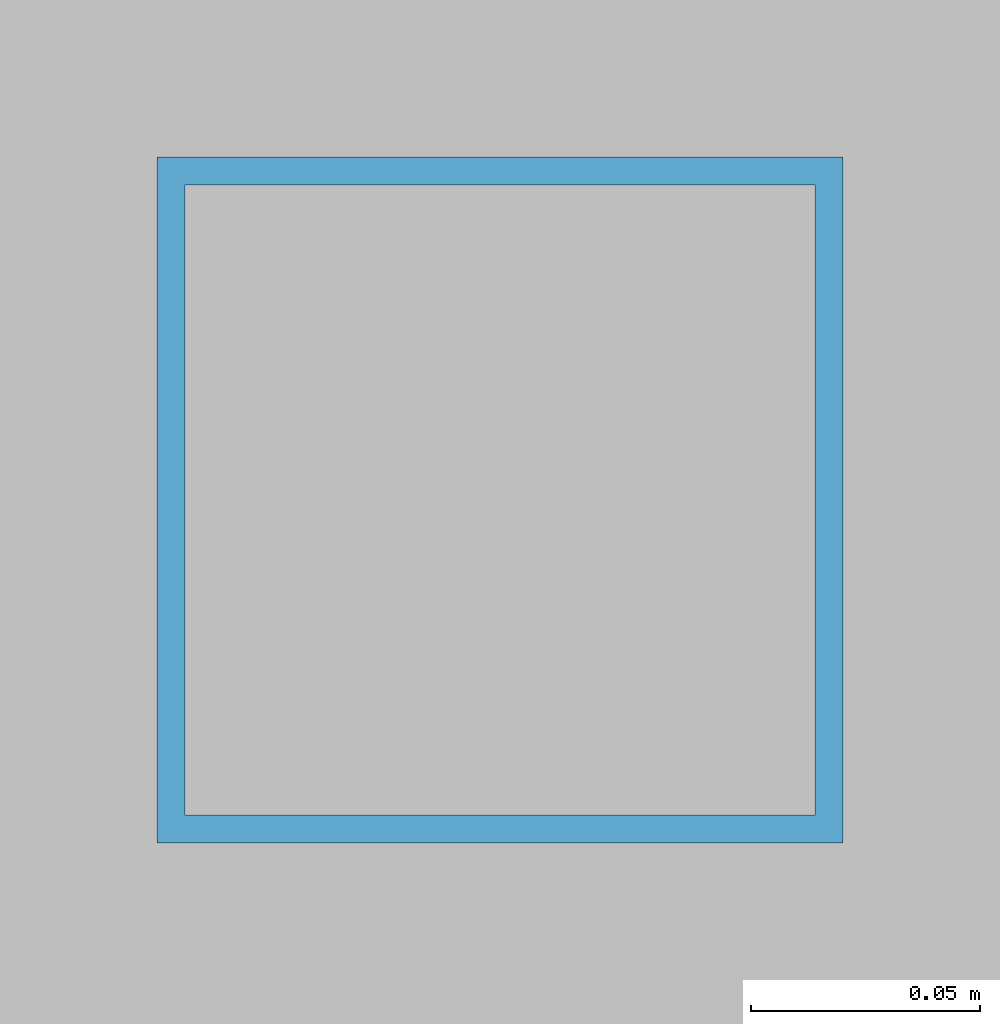
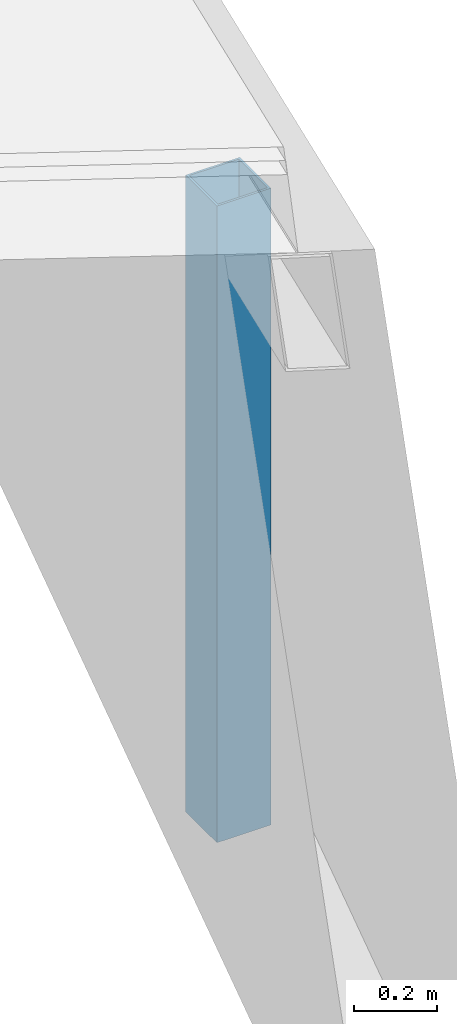
# One storey, part 46 of 185: 1 member.
"""IFC4 building model written with IfcOpenShell, lengths in metres."""

from ifc_helpers import new_model, si_unit, direction, frame, origin, origin_2d, place, context, subcontext, project, spatial, hollow_rectangle, extrude, material, material_profile, profile_set, type_object, element, save


model = new_model("IFC4")

# Units and contexts
model_context = context("Model", 3, precision=1e-05, world=origin(), true_north=direction((0.0, 1.0)))
body_context = subcontext(model_context, "Body", "Model", "MODEL_VIEW")
ifc_project = project(units=[si_unit("LENGTHUNIT", "METRE"), si_unit("AREAUNIT", "SQUARE_METRE"), si_unit("VOLUMEUNIT", "CUBIC_METRE"), si_unit("PLANEANGLEUNIT", "RADIAN"), si_unit("MASSUNIT", "GRAM", prefix="KILO")], contexts=[model_context])

# Site, building, storey
site_placement = place(None, origin())
site = spatial("IfcSite", under=ifc_project, at=site_placement, CompositionType="ELEMENT")
building_placement = place(site_placement, origin())
building = spatial("IfcBuilding", under=site, at=building_placement, Name="Vondelvale Polytechnic", CompositionType="ELEMENT")
storey_placement = place(building_placement, frame((0.0, 0.0, 9.60009765625)))
storey = spatial("IfcBuildingStorey", under=building, at=storey_placement, Name="L02", CompositionType="ELEMENT", Elevation=9.60009765625)

# Member
ifc_material = material(Name="Steel C350L0 (fy = 350 MPa)", Category="steel")
ifc_material_profile = material_profile(ifc_material, hollow_rectangle(XDim=0.14990234375, YDim=0.14990234375, WallThickness=0.006103515625, at=origin_2d()), Name="150x150x6.0SHS")
ifc_profile_set = profile_set([ifc_material_profile], Name="Steel C350L0 (fy = 350 MPa)")
member_type = type_object("IfcMemberType", Name="ROOF TRUSS POST 150SHS", PredefinedType="POST", material=ifc_profile_set)
member_placement = place(storey_placement, frame((92.423583984375, 36.2607421875, 0.0), z_axis=(0.0, 0.0, 1.0), x_axis=(1.0, 0.0, 0.0)))
element("IfcMember", 1, at=member_placement, inside=storey, type_object=member_type, Name="Ring step mid roof post 16", PredefinedType="POST", context=body_context, shape_type="SweptSolid", body=[
    extrude(hollow_rectangle(XDim=0.14990234375, YDim=0.14990234375, WallThickness=0.006103515625, at=origin_2d()), origin(), (0.0, 0.0, 1.0), 1.86572265625),
])

save(model, "model.ifc")
